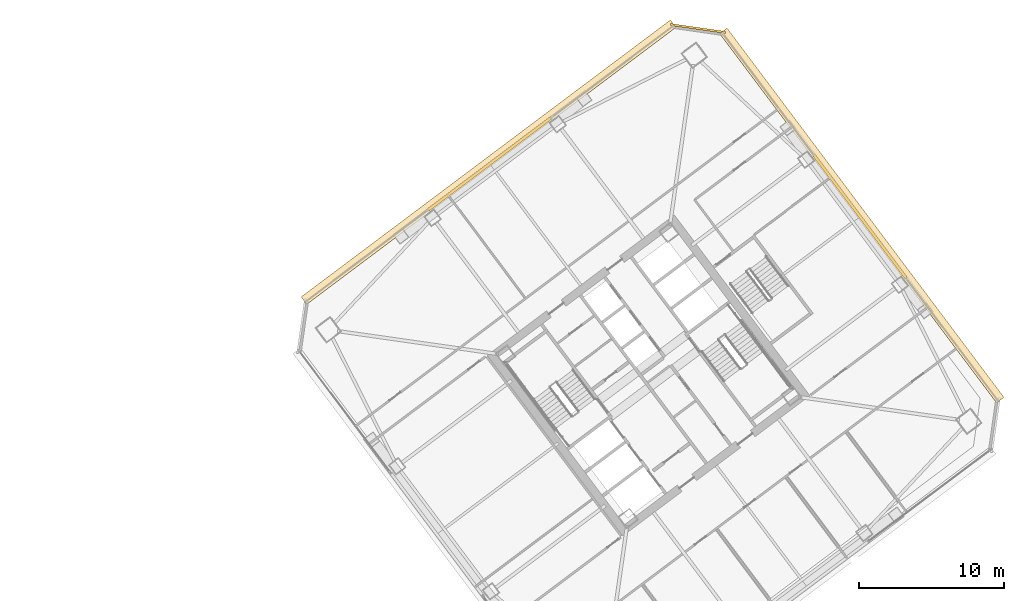
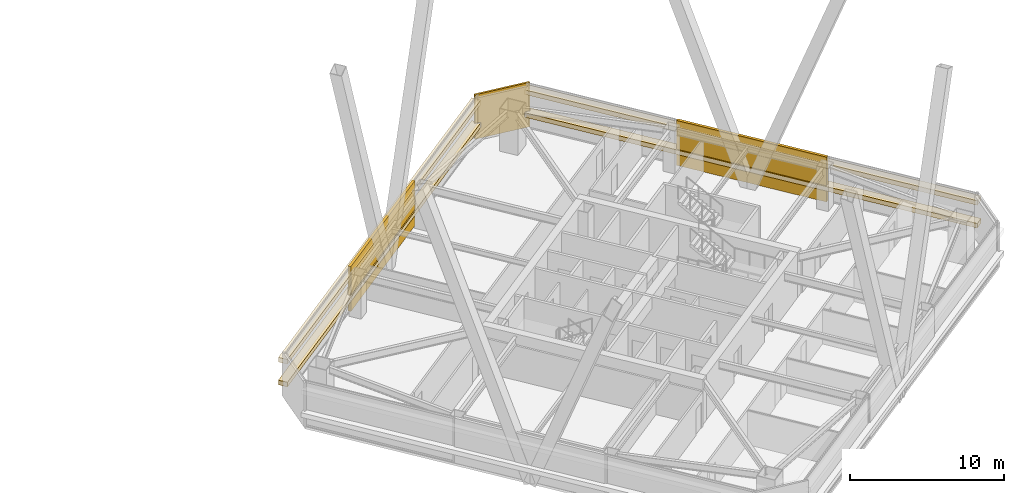
# One storey, part 50 of 50: 7 coverings.
"""IFC4 building model written with IfcOpenShell, lengths in metres."""

from ifc_helpers import new_model, si_unit, direction, frame, origin, origin_2d, place, context, subcontext, project, spatial, rectangle, extrude, material, layer, layer_set, type_object, element, save


model = new_model("IFC4")

# Units and contexts
model_context = context("Model", 3, precision=1e-05, world=origin(), true_north=direction((0.0, 1.0)))
body_context = subcontext(model_context, "Body", "Model", "MODEL_VIEW")
ifc_project = project(units=[si_unit("LENGTHUNIT", "METRE"), si_unit("AREAUNIT", "SQUARE_METRE"), si_unit("VOLUMEUNIT", "CUBIC_METRE"), si_unit("PLANEANGLEUNIT", "RADIAN"), si_unit("MASSUNIT", "GRAM", prefix="KILO")], contexts=[model_context])

# Site, building, storey
site_placement = place(None, origin())
site = spatial("IfcSite", under=ifc_project, at=site_placement, CompositionType="ELEMENT")
building_placement = place(site_placement, origin())
building = spatial("IfcBuilding", under=site, at=building_placement, Name="Tashvorn Skyway Center", CompositionType="ELEMENT")
storey_placement = place(building_placement, frame((0.0, 0.0, 114.39990234375)))
storey = spatial("IfcBuildingStorey", under=building, at=storey_placement, Name="L30", CompositionType="ELEMENT", Elevation=114.39990234375)

# Coverings
ifc_material_1 = material(Name="Precast concrete C40/50", Category="concrete")
ifc_layer_1 = layer(ifc_material_1, 0.199951171875)
ifc_layer_set_1 = layer_set([ifc_layer_1], Name="Precast concrete C40/50")
covering_type_1 = type_object("IfcCoveringType", Name="COV-BRACE-CLAD", PredefinedType="CLADDING", material=ifc_layer_set_1)
for number, where, z_axis, x_axis, name in (
    (1, (103.031982421875, 46.6240234375, 0.0), (0.0, 0.0, 1.0), (0.799999996291, 0.600000004945, 0.0), "Tower 2 L30 North Unitised Curtain Wall Mega-Brace Cladding Band 1"),
    (2, (128.6240234375, 42.968017578125, 0.0), (0.0, 0.0, 1.0), (0.600000004945, -0.799999996291, 0.0), "Tower 2 L30 East Unitised Curtain Wall Mega-Brace Cladding Band 1"),
):
    element("IfcCovering", number, at=place(storey_placement, frame(where, z_axis=z_axis, x_axis=x_axis)), inside=storey, type_object=covering_type_1, Name=name, PredefinedType="CLADDING", context=body_context, shape_type="SweptSolid", body=[
        extrude(rectangle(XDim=10.586669921875, YDim=0.199951171875, at=origin_2d()), origin(), (0.0, 0.0, 1.0), 3.550048828125),
    ])
ifc_material_2 = material(Name="Perforated ceramic-coated bronze aluminium solar screen", Category="aluminium")
ifc_layer_2 = layer(ifc_material_2, 0.85009765625)
ifc_layer_set_2 = layer_set([ifc_layer_2], Name="Perforated ceramic-coated bronze aluminium solar screen")
covering_type_2 = type_object("IfcCoveringType", Name="COV-SOLAR-BAND", PredefinedType="CLADDING", material=ifc_layer_set_2)
for number, where, z_axis, x_axis, name in (
    (3, (102.947998046875, 46.736083984375, 0.919921875), (0.0, 0.0, 1.0), (0.799999996291, 0.600000004945, 0.0), "L30 Perforated Ceramic-Metal Solar Screen Louvre Band North 1"),
    (4, (102.947998046875, 46.736083984375, 2.72021484375), (0.0, 0.0, 1.0), (0.799999996291, 0.600000004945, 0.0), "L30 Perforated Ceramic-Metal Solar Screen Louvre Band North 2"),
    (5, (128.736083984375, 43.052001953125, 0.919921875), (0.0, 0.0, 1.0), (0.600000004945, -0.799999996291, 0.0), "L30 Perforated Ceramic-Metal Solar Screen Louvre Band East 1"),
    (6, (128.736083984375, 43.052001953125, 2.72021484375), (0.0, 0.0, 1.0), (0.600000004945, -0.799999996291, 0.0), "L30 Perforated Ceramic-Metal Solar Screen Louvre Band East 2"),
):
    element("IfcCovering", number, at=place(storey_placement, frame(where, z_axis=z_axis, x_axis=x_axis)), inside=storey, type_object=covering_type_2, Name=name, PredefinedType="CLADDING", context=body_context, shape_type="SweptSolid", body=[
        extrude(rectangle(XDim=31.8798828125, YDim=0.639892578125, at=origin_2d()), origin(), (0.0, 0.0, 1.0), 0.360107421875),
    ])
ifc_layer_3 = layer(ifc_material_1, 0.35009765625)
ifc_layer_set_3 = layer_set([ifc_layer_3], Name="Precast concrete C40/50")
covering_type_3 = type_object("IfcCoveringType", Name="COV-STONE-TRIM", PredefinedType="CLADDING", material=ifc_layer_set_3)
covering_placement = place(storey_placement, frame((117.424072265625, 55.968017578125, 0.02001953125), z_axis=(0.0, 0.0, 1.0), x_axis=(0.989949494535, -0.141421350118, 0.0)))
element("IfcCovering", 7, at=covering_placement, inside=storey, type_object=covering_type_3, Name="Tower 2 L30 NE Mojave Limestone Corner Quoin", PredefinedType="CLADDING", context=body_context, shape_type="SweptSolid", body=[
    extrude(rectangle(XDim=3.8369140625, YDim=0.139892578125, at=origin_2d()), origin(), (0.0, 0.0, 1.0), 3.510009765625),
])

save(model, "model.ifc")
